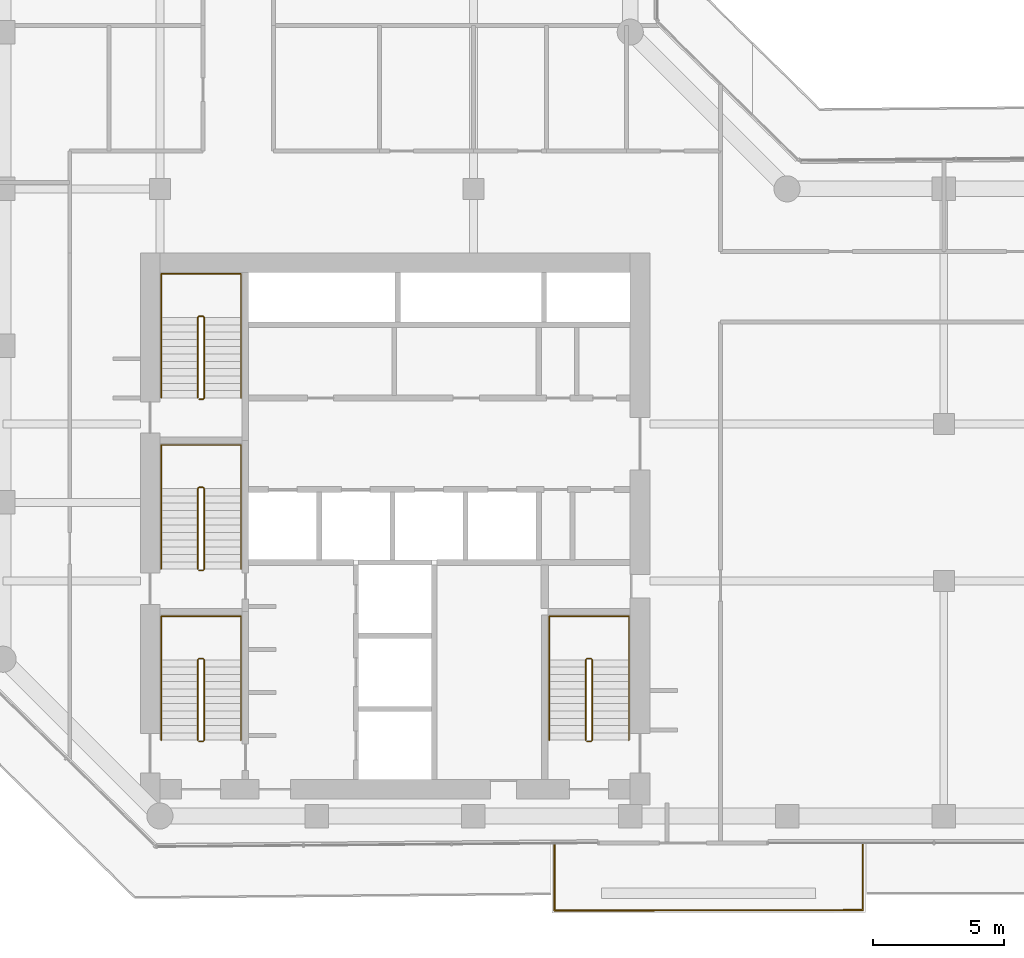
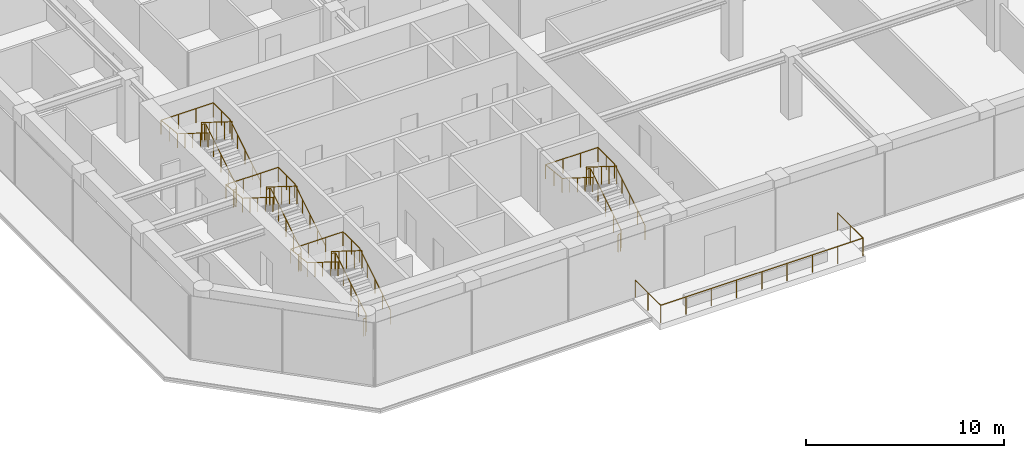
# One storey, part 20 of 21: 9 railings.
"""IFC4 building model written with IfcOpenShell, lengths in metres."""

from ifc_helpers import new_model, si_unit, direction, frame, origin, origin_2d, place, context, subcontext, project, spatial, circle, extrude, material, type_object, element, save


model = new_model("IFC4")

# Units and contexts
model_context = context("Model", 3, precision=1e-05, world=origin(), true_north=direction((0.0, 1.0)))
body_context = subcontext(model_context, "Body", "Model", "MODEL_VIEW")
ifc_project = project(units=[si_unit("LENGTHUNIT", "METRE"), si_unit("AREAUNIT", "SQUARE_METRE"), si_unit("VOLUMEUNIT", "CUBIC_METRE"), si_unit("PLANEANGLEUNIT", "RADIAN"), si_unit("MASSUNIT", "GRAM", prefix="KILO")], contexts=[model_context])

# Site, building, storey
site_placement = place(None, origin())
site = spatial("IfcSite", under=ifc_project, at=site_placement, CompositionType="ELEMENT")
building_placement = place(site_placement, origin())
building = spatial("IfcBuilding", under=site, at=building_placement, Name="Welwitschia Terrace Campus", CompositionType="ELEMENT")
storey_placement = place(building_placement, frame((0.0, 0.0, 108.800048828125)))
storey = spatial("IfcBuildingStorey", under=building, at=storey_placement, Name="L24", CompositionType="ELEMENT", Elevation=108.800048828125)

# Railings
ifc_material_1 = material(Name="Stainless steel grade 316", Category="steel")
railing_type_1 = type_object("IfcRailingType", Name="Guard 1100", PredefinedType="GUARDRAIL", material=ifc_material_1)
railing_1_placement = place(storey_placement, frame((32.89990234375, 2.969970703125, 0.0)))
element("IfcRailing", 1, at=railing_1_placement, inside=storey, type_object=railing_type_1, Name="Guard terrace L24:0:0.0", PredefinedType="GUARDRAIL", context=body_context, shape_type="SweptSolid", body=[
    extrude(circle(Radius=0.02392578125, at=origin_2d()), frame((0.0, 0.0, 1.076171875), z_axis=(0.0, -1.0, 0.0), x_axis=(1.0, 0.0, 0.0)), (0.0, 0.0, 1.0), 2.570068359375),
    extrude(circle(Radius=0.02392578125, at=origin_2d()), frame((0.0, -2.570068359375, 1.076171875), z_axis=(-0.999999123282, -0.001324173299, 0.0), x_axis=(0.001324173299, -0.999999123282, 0.0)), (0.0, 0.0, 1.0), 11.7998046875),
    extrude(circle(Radius=0.02392578125, at=origin_2d()), frame((-11.7998046875, -2.585693359375, 1.076171875), z_axis=(-0.000379867019, 0.999999927851, 0.0), x_axis=(-0.999999927851, -0.000379867019, 0.0)), (0.0, 0.0, 1.0), 2.57080078125),
    extrude(circle(Radius=0.02099609375, at=origin_2d()), origin(), (0.0, 0.0, 1.0), 1.052001953125),
    extrude(circle(Radius=0.02099609375, at=origin_2d()), frame((0.0, -1.28515625, 0.0)), (0.0, 0.0, 1.0), 1.052001953125),
    extrude(circle(Radius=0.02099609375, at=origin_2d()), frame((0.0, -2.570068359375, 0.0)), (0.0, 0.0, 1.0), 1.052001953125),
    extrude(circle(Radius=0.02099609375, at=origin_2d()), frame((-1.47509765625, -2.572021484375, 0.0)), (0.0, 0.0, 1.0), 1.052001953125),
    extrude(circle(Radius=0.02099609375, at=origin_2d()), frame((-2.949951171875, -2.573974609375, 0.0)), (0.0, 0.0, 1.0), 1.052001953125),
    extrude(circle(Radius=0.02099609375, at=origin_2d()), frame((-4.4248046875, -2.575927734375, 0.0)), (0.0, 0.0, 1.0), 1.052001953125),
    extrude(circle(Radius=0.02099609375, at=origin_2d()), frame((-5.89990234375, -2.577880859375, 0.0)), (0.0, 0.0, 1.0), 1.052001953125),
    extrude(circle(Radius=0.02099609375, at=origin_2d()), frame((-7.375, -2.579833984375, 0.0)), (0.0, 0.0, 1.0), 1.052001953125),
    extrude(circle(Radius=0.02099609375, at=origin_2d()), frame((-8.849853515625, -2.581787109375, 0.0)), (0.0, 0.0, 1.0), 1.052001953125),
    extrude(circle(Radius=0.02099609375, at=origin_2d()), frame((-10.32470703125, -2.583740234375, 0.0)), (0.0, 0.0, 1.0), 1.052001953125),
    extrude(circle(Radius=0.02099609375, at=origin_2d()), frame((-11.7998046875, -2.585693359375, 0.0)), (0.0, 0.0, 1.0), 1.052001953125),
    extrude(circle(Radius=0.02099609375, at=origin_2d()), frame((-11.80029296875, -1.30029296875, 0.0)), (0.0, 0.0, 1.0), 1.052001953125),
    extrude(circle(Radius=0.02099609375, at=origin_2d()), frame((-11.80078125, -0.014892578125, 0.0)), (0.0, 0.0, 1.0), 1.052001953125),
])
ifc_material_2 = material(Name="Steel S355", Category="steel")
railing_type_2 = type_object("IfcRailingType", Name="Stair guard 1100", PredefinedType="GUARDRAIL", material=ifc_material_2)
railing_2_placement = place(storey_placement, frame((7.5, 6.85009765625, 0.0)))
element("IfcRailing", 2, at=railing_2_placement, inside=storey, type_object=railing_type_2, Name="L24 S1 stair guard", PredefinedType="GUARDRAIL", context=body_context, shape_type="SweptSolid", body=[
    extrude(circle(Radius=0.02392578125, at=origin_2d()), frame((0.0, 0.0, 1.076171875), z_axis=(1.0, 0.0, 0.0), x_axis=(0.0, 1.0, 0.0)), (0.0, 0.0, 1.0), 0.14990234375),
    extrude(circle(Radius=0.02392578125, at=origin_2d()), frame((0.14990234375, 0.0, 1.076171875), z_axis=(0.265155923931, 0.263862480399, 0.927399011991), x_axis=(-0.705375805398, 0.708833529934, 0.0)), (0.0, 0.0, 1.0), 0.188720703125),
    extrude(circle(Radius=0.02392578125, at=origin_2d()), frame((0.199951171875, 0.0498046875, 1.2509765625), z_axis=(0.0, 0.848028513186, 0.529950602248), x_axis=(-1.0, 0.0, 0.0)), (0.0, 0.0, 1.0), 3.632080078125),
    extrude(circle(Radius=0.02392578125, at=origin_2d()), frame((0.199951171875, 3.1298828125, 3.17578125), z_axis=(-0.707106781187, 0.707106781187, 0.0), x_axis=(-0.707106781187, -0.707106781187, 0.0)), (0.0, 0.0, 1.0), 0.07080078125),
    extrude(circle(Radius=0.02392578125, at=origin_2d()), frame((0.14990234375, 3.179931640625, 3.17578125), z_axis=(-1.0, 0.0, 0.0), x_axis=(0.0, -1.0, 0.0)), (0.0, 0.0, 1.0), 0.14990234375),
    extrude(circle(Radius=0.02392578125, at=origin_2d()), frame((0.0, 3.179931640625, 3.17578125), z_axis=(-0.265065253269, -0.265065253269, 0.927081885822), x_axis=(0.707106781187, -0.707106781187, 0.0)), (0.0, 0.0, 1.0), 0.188720703125),
    extrude(circle(Radius=0.02392578125, at=origin_2d()), frame((-0.050048828125, 3.1298828125, 3.35107421875), z_axis=(0.0, -0.847998304005, 0.529998940003), x_axis=(1.0, 0.0, 0.0)), (0.0, 0.0, 1.0), 3.632080078125),
    extrude(circle(Radius=0.02099609375, at=origin_2d()), origin(), (0.0, 0.0, 1.0), 1.052001953125),
    extrude(circle(Radius=0.02099609375, at=origin_2d()), frame((0.14990234375, 0.0, 0.0)), (0.0, 0.0, 1.0), 1.052001953125),
    extrude(circle(Radius=0.02099609375, at=origin_2d()), frame((0.199951171875, 0.0498046875, 0.175048828125)), (0.0, 0.0, 1.0), 1.052001953125),
    extrude(circle(Radius=0.02099609375, at=origin_2d()), frame((0.199951171875, 0.81982421875, 0.65625)), (0.0, 0.0, 1.0), 1.052001953125),
    extrude(circle(Radius=0.02099609375, at=origin_2d()), frame((0.199951171875, 1.58984375, 1.137451171875)), (0.0, 0.0, 1.0), 1.052001953125),
    extrude(circle(Radius=0.02099609375, at=origin_2d()), frame((0.199951171875, 2.35986328125, 1.61865234375)), (0.0, 0.0, 1.0), 1.052001953125),
    extrude(circle(Radius=0.02099609375, at=origin_2d()), frame((0.199951171875, 3.1298828125, 2.099853515625)), (0.0, 0.0, 1.0), 1.052001953125),
    extrude(circle(Radius=0.02099609375, at=origin_2d()), frame((0.14990234375, 3.179931640625, 2.099853515625)), (0.0, 0.0, 1.0), 1.052001953125),
    extrude(circle(Radius=0.02099609375, at=origin_2d()), frame((0.0, 3.179931640625, 2.099853515625)), (0.0, 0.0, 1.0), 1.052001953125),
    extrude(circle(Radius=0.02099609375, at=origin_2d()), frame((-0.050048828125, 3.1298828125, 2.27490234375)), (0.0, 0.0, 1.0), 1.052001953125),
    extrude(circle(Radius=0.02099609375, at=origin_2d()), frame((-0.050048828125, 2.35986328125, 2.756103515625)), (0.0, 0.0, 1.0), 1.052001953125),
    extrude(circle(Radius=0.02099609375, at=origin_2d()), frame((-0.050048828125, 1.58984375, 3.2373046875)), (0.0, 0.0, 1.0), 1.052001953125),
    extrude(circle(Radius=0.02099609375, at=origin_2d()), frame((-0.050048828125, 0.81982421875, 3.71875)), (0.0, 0.0, 1.0), 1.052001953125),
    extrude(circle(Radius=0.02099609375, at=origin_2d()), frame((-0.050048828125, 0.0498046875, 4.199951171875)), (0.0, 0.0, 1.0), 1.052001953125),
])
railing_3_placement = place(storey_placement, frame((7.5, 13.39990234375, 0.0)))
element("IfcRailing", 3, at=railing_3_placement, inside=storey, type_object=railing_type_2, Name="L24 S3 stair guard", PredefinedType="GUARDRAIL", context=body_context, shape_type="SweptSolid", body=[
    extrude(circle(Radius=0.02392578125, at=origin_2d()), frame((0.0, 0.0, 1.076171875), z_axis=(1.0, 0.0, 0.0), x_axis=(0.0, 1.0, 0.0)), (0.0, 0.0, 1.0), 0.14990234375),
    extrude(circle(Radius=0.02392578125, at=origin_2d()), frame((0.14990234375, 0.0, 1.076171875), z_axis=(0.265065253269, 0.265065253269, 0.927081885822), x_axis=(-0.707106781187, 0.707106781187, 0.0)), (0.0, 0.0, 1.0), 0.188720703125),
    extrude(circle(Radius=0.02392578125, at=origin_2d()), frame((0.199951171875, 0.050048828125, 1.2509765625), z_axis=(0.0, 0.848028513186, 0.529950602248), x_axis=(-1.0, 0.0, 0.0)), (0.0, 0.0, 1.0), 3.632080078125),
    extrude(circle(Radius=0.02392578125, at=origin_2d()), frame((0.199951171875, 3.130126953125, 3.17578125), z_axis=(-0.707106781187, 0.707106781187, 0.0), x_axis=(-0.707106781187, -0.707106781187, 0.0)), (0.0, 0.0, 1.0), 0.07080078125),
    extrude(circle(Radius=0.02392578125, at=origin_2d()), frame((0.14990234375, 3.18017578125, 3.17578125), z_axis=(-1.0, 0.0, 0.0), x_axis=(0.0, -1.0, 0.0)), (0.0, 0.0, 1.0), 0.14990234375),
    extrude(circle(Radius=0.02392578125, at=origin_2d()), frame((0.0, 3.18017578125, 3.17578125), z_axis=(-0.265065253269, -0.265065253269, 0.927081885822), x_axis=(0.707106781187, -0.707106781187, 0.0)), (0.0, 0.0, 1.0), 0.188720703125),
    extrude(circle(Radius=0.02392578125, at=origin_2d()), frame((-0.050048828125, 3.130126953125, 3.35107421875), z_axis=(0.0, -0.847998304005, 0.529998940003), x_axis=(1.0, 0.0, 0.0)), (0.0, 0.0, 1.0), 3.632080078125),
    extrude(circle(Radius=0.02099609375, at=origin_2d()), origin(), (0.0, 0.0, 1.0), 1.052001953125),
    extrude(circle(Radius=0.02099609375, at=origin_2d()), frame((0.14990234375, 0.0, 0.0)), (0.0, 0.0, 1.0), 1.052001953125),
    extrude(circle(Radius=0.02099609375, at=origin_2d()), frame((0.199951171875, 0.050048828125, 0.175048828125)), (0.0, 0.0, 1.0), 1.052001953125),
    extrude(circle(Radius=0.02099609375, at=origin_2d()), frame((0.199951171875, 0.820068359375, 0.65625)), (0.0, 0.0, 1.0), 1.052001953125),
    extrude(circle(Radius=0.02099609375, at=origin_2d()), frame((0.199951171875, 1.590087890625, 1.137451171875)), (0.0, 0.0, 1.0), 1.052001953125),
    extrude(circle(Radius=0.02099609375, at=origin_2d()), frame((0.199951171875, 2.360107421875, 1.61865234375)), (0.0, 0.0, 1.0), 1.052001953125),
    extrude(circle(Radius=0.02099609375, at=origin_2d()), frame((0.199951171875, 3.130126953125, 2.099853515625)), (0.0, 0.0, 1.0), 1.052001953125),
    extrude(circle(Radius=0.02099609375, at=origin_2d()), frame((0.14990234375, 3.18017578125, 2.099853515625)), (0.0, 0.0, 1.0), 1.052001953125),
    extrude(circle(Radius=0.02099609375, at=origin_2d()), frame((0.0, 3.18017578125, 2.099853515625)), (0.0, 0.0, 1.0), 1.052001953125),
    extrude(circle(Radius=0.02099609375, at=origin_2d()), frame((-0.050048828125, 3.130126953125, 2.27490234375)), (0.0, 0.0, 1.0), 1.052001953125),
    extrude(circle(Radius=0.02099609375, at=origin_2d()), frame((-0.050048828125, 2.360107421875, 2.756103515625)), (0.0, 0.0, 1.0), 1.052001953125),
    extrude(circle(Radius=0.02099609375, at=origin_2d()), frame((-0.050048828125, 1.590087890625, 3.2373046875)), (0.0, 0.0, 1.0), 1.052001953125),
    extrude(circle(Radius=0.02099609375, at=origin_2d()), frame((-0.050048828125, 0.820068359375, 3.71875)), (0.0, 0.0, 1.0), 1.052001953125),
    extrude(circle(Radius=0.02099609375, at=origin_2d()), frame((-0.050048828125, 0.050048828125, 4.199951171875)), (0.0, 0.0, 1.0), 1.052001953125),
])
railing_4_placement = place(storey_placement, frame((7.5, 19.949951171875, 0.0)))
element("IfcRailing", 4, at=railing_4_placement, inside=storey, type_object=railing_type_2, Name="L24 S4 stair guard", PredefinedType="GUARDRAIL", context=body_context, shape_type="SweptSolid", body=[
    extrude(circle(Radius=0.02392578125, at=origin_2d()), frame((0.0, 0.0, 1.076171875), z_axis=(1.0, 0.0, 0.0), x_axis=(0.0, 1.0, 0.0)), (0.0, 0.0, 1.0), 0.14990234375),
    extrude(circle(Radius=0.02392578125, at=origin_2d()), frame((0.14990234375, 0.0, 1.076171875), z_axis=(0.265065253269, 0.265065253269, 0.927081885822), x_axis=(-0.707106781187, 0.707106781187, 0.0)), (0.0, 0.0, 1.0), 0.188720703125),
    extrude(circle(Radius=0.02392578125, at=origin_2d()), frame((0.199951171875, 0.050048828125, 1.2509765625), z_axis=(0.0, 0.848028513186, 0.529950602248), x_axis=(-1.0, 0.0, 0.0)), (0.0, 0.0, 1.0), 3.632080078125),
    extrude(circle(Radius=0.02392578125, at=origin_2d()), frame((0.199951171875, 3.130126953125, 3.17578125), z_axis=(-0.708833529934, 0.705375805398, 0.0), x_axis=(-0.705375805398, -0.708833529934, 0.0)), (0.0, 0.0, 1.0), 0.070556640625),
    extrude(circle(Radius=0.02392578125, at=origin_2d()), frame((0.14990234375, 3.179931640625, 3.17578125), z_axis=(-1.0, 0.0, 0.0), x_axis=(0.0, -1.0, 0.0)), (0.0, 0.0, 1.0), 0.14990234375),
    extrude(circle(Radius=0.02392578125, at=origin_2d()), frame((0.0, 3.179931640625, 3.17578125), z_axis=(-0.265155923931, -0.263862480399, 0.927399011991), x_axis=(0.705375805398, -0.708833529934, 0.0)), (0.0, 0.0, 1.0), 0.188720703125),
    extrude(circle(Radius=0.02392578125, at=origin_2d()), frame((-0.050048828125, 3.130126953125, 3.35107421875), z_axis=(0.0, -0.847998304005, 0.529998940003), x_axis=(1.0, 0.0, 0.0)), (0.0, 0.0, 1.0), 3.632080078125),
    extrude(circle(Radius=0.02099609375, at=origin_2d()), origin(), (0.0, 0.0, 1.0), 1.052001953125),
    extrude(circle(Radius=0.02099609375, at=origin_2d()), frame((0.14990234375, 0.0, 0.0)), (0.0, 0.0, 1.0), 1.052001953125),
    extrude(circle(Radius=0.02099609375, at=origin_2d()), frame((0.199951171875, 0.050048828125, 0.175048828125)), (0.0, 0.0, 1.0), 1.052001953125),
    extrude(circle(Radius=0.02099609375, at=origin_2d()), frame((0.199951171875, 0.820068359375, 0.65625)), (0.0, 0.0, 1.0), 1.052001953125),
    extrude(circle(Radius=0.02099609375, at=origin_2d()), frame((0.199951171875, 1.590087890625, 1.137451171875)), (0.0, 0.0, 1.0), 1.052001953125),
    extrude(circle(Radius=0.02099609375, at=origin_2d()), frame((0.199951171875, 2.360107421875, 1.61865234375)), (0.0, 0.0, 1.0), 1.052001953125),
    extrude(circle(Radius=0.02099609375, at=origin_2d()), frame((0.199951171875, 3.130126953125, 2.099853515625)), (0.0, 0.0, 1.0), 1.052001953125),
    extrude(circle(Radius=0.02099609375, at=origin_2d()), frame((0.14990234375, 3.179931640625, 2.099853515625)), (0.0, 0.0, 1.0), 1.052001953125),
    extrude(circle(Radius=0.02099609375, at=origin_2d()), frame((0.0, 3.179931640625, 2.099853515625)), (0.0, 0.0, 1.0), 1.052001953125),
    extrude(circle(Radius=0.02099609375, at=origin_2d()), frame((-0.050048828125, 3.130126953125, 2.27490234375)), (0.0, 0.0, 1.0), 1.052001953125),
    extrude(circle(Radius=0.02099609375, at=origin_2d()), frame((-0.050048828125, 2.360107421875, 2.756103515625)), (0.0, 0.0, 1.0), 1.052001953125),
    extrude(circle(Radius=0.02099609375, at=origin_2d()), frame((-0.050048828125, 1.590087890625, 3.2373046875)), (0.0, 0.0, 1.0), 1.052001953125),
    extrude(circle(Radius=0.02099609375, at=origin_2d()), frame((-0.050048828125, 0.820068359375, 3.71875)), (0.0, 0.0, 1.0), 1.052001953125),
    extrude(circle(Radius=0.02099609375, at=origin_2d()), frame((-0.050048828125, 0.050048828125, 4.199951171875)), (0.0, 0.0, 1.0), 1.052001953125),
])
railing_5_placement = place(storey_placement, frame((22.35009765625, 6.85009765625, 0.0)))
element("IfcRailing", 5, at=railing_5_placement, inside=storey, type_object=railing_type_2, Name="L24 S2 stair guard", PredefinedType="GUARDRAIL", context=body_context, shape_type="SweptSolid", body=[
    extrude(circle(Radius=0.02392578125, at=origin_2d()), frame((0.0, 0.0, 1.076171875), z_axis=(1.0, 0.0, 0.0), x_axis=(0.0, 1.0, 0.0)), (0.0, 0.0, 1.0), 0.14990234375),
    extrude(circle(Radius=0.02392578125, at=origin_2d()), frame((0.14990234375, 0.0, 1.076171875), z_axis=(0.265155923931, 0.263862480399, 0.927399011991), x_axis=(-0.705375805398, 0.708833529934, 0.0)), (0.0, 0.0, 1.0), 0.188720703125),
    extrude(circle(Radius=0.02392578125, at=origin_2d()), frame((0.199951171875, 0.0498046875, 1.2509765625), z_axis=(0.0, 0.848028513186, 0.529950602248), x_axis=(-1.0, 0.0, 0.0)), (0.0, 0.0, 1.0), 3.632080078125),
    extrude(circle(Radius=0.02392578125, at=origin_2d()), frame((0.199951171875, 3.1298828125, 3.17578125), z_axis=(-0.707106781187, 0.707106781187, 0.0), x_axis=(-0.707106781187, -0.707106781187, 0.0)), (0.0, 0.0, 1.0), 0.07080078125),
    extrude(circle(Radius=0.02392578125, at=origin_2d()), frame((0.14990234375, 3.179931640625, 3.17578125), z_axis=(-1.0, 0.0, 0.0), x_axis=(0.0, -1.0, 0.0)), (0.0, 0.0, 1.0), 0.14990234375),
    extrude(circle(Radius=0.02392578125, at=origin_2d()), frame((0.0, 3.179931640625, 3.17578125), z_axis=(-0.265065253269, -0.265065253269, 0.927081885822), x_axis=(0.707106781187, -0.707106781187, 0.0)), (0.0, 0.0, 1.0), 0.188720703125),
    extrude(circle(Radius=0.02392578125, at=origin_2d()), frame((-0.050048828125, 3.1298828125, 3.35107421875), z_axis=(0.0, -0.847998304005, 0.529998940003), x_axis=(1.0, 0.0, 0.0)), (0.0, 0.0, 1.0), 3.632080078125),
    extrude(circle(Radius=0.02099609375, at=origin_2d()), origin(), (0.0, 0.0, 1.0), 1.052001953125),
    extrude(circle(Radius=0.02099609375, at=origin_2d()), frame((0.14990234375, 0.0, 0.0)), (0.0, 0.0, 1.0), 1.052001953125),
    extrude(circle(Radius=0.02099609375, at=origin_2d()), frame((0.199951171875, 0.0498046875, 0.175048828125)), (0.0, 0.0, 1.0), 1.052001953125),
    extrude(circle(Radius=0.02099609375, at=origin_2d()), frame((0.199951171875, 0.81982421875, 0.65625)), (0.0, 0.0, 1.0), 1.052001953125),
    extrude(circle(Radius=0.02099609375, at=origin_2d()), frame((0.199951171875, 1.58984375, 1.137451171875)), (0.0, 0.0, 1.0), 1.052001953125),
    extrude(circle(Radius=0.02099609375, at=origin_2d()), frame((0.199951171875, 2.35986328125, 1.61865234375)), (0.0, 0.0, 1.0), 1.052001953125),
    extrude(circle(Radius=0.02099609375, at=origin_2d()), frame((0.199951171875, 3.1298828125, 2.099853515625)), (0.0, 0.0, 1.0), 1.052001953125),
    extrude(circle(Radius=0.02099609375, at=origin_2d()), frame((0.14990234375, 3.179931640625, 2.099853515625)), (0.0, 0.0, 1.0), 1.052001953125),
    extrude(circle(Radius=0.02099609375, at=origin_2d()), frame((0.0, 3.179931640625, 2.099853515625)), (0.0, 0.0, 1.0), 1.052001953125),
    extrude(circle(Radius=0.02099609375, at=origin_2d()), frame((-0.050048828125, 3.1298828125, 2.27490234375)), (0.0, 0.0, 1.0), 1.052001953125),
    extrude(circle(Radius=0.02099609375, at=origin_2d()), frame((-0.050048828125, 2.35986328125, 2.756103515625)), (0.0, 0.0, 1.0), 1.052001953125),
    extrude(circle(Radius=0.02099609375, at=origin_2d()), frame((-0.050048828125, 1.58984375, 3.2373046875)), (0.0, 0.0, 1.0), 1.052001953125),
    extrude(circle(Radius=0.02099609375, at=origin_2d()), frame((-0.050048828125, 0.81982421875, 3.71875)), (0.0, 0.0, 1.0), 1.052001953125),
    extrude(circle(Radius=0.02099609375, at=origin_2d()), frame((-0.050048828125, 0.0498046875, 4.199951171875)), (0.0, 0.0, 1.0), 1.052001953125),
])
ifc_material_3 = material(Name="Steel S355", Category="steel")
railing_type_3 = type_object("IfcRailingType", Name="Stair handrail 900", PredefinedType="HANDRAIL", material=ifc_material_3)
railing_6_placement = place(storey_placement, frame((9.10009765625, 6.89990234375, 0.175048828125)))
element("IfcRailing", 6, at=railing_6_placement, inside=storey, type_object=railing_type_3, Name="L24 S1 stair handrail", PredefinedType="HANDRAIL", context=body_context, shape_type="SweptSolid", body=[
    extrude(circle(Radius=0.02392578125, at=origin_2d()), frame((0.0, 0.0, 0.8759765625), z_axis=(0.0, 0.848028513186, 0.529950602248), x_axis=(-1.0, 0.0, 0.0)), (0.0, 0.0, 1.0), 3.632080078125),
    extrude(circle(Radius=0.02392578125, at=origin_2d()), frame((0.0, 3.080078125, 2.80078125), z_axis=(0.0, 1.0, 0.0), x_axis=(-1.0, 0.0, 0.0)), (0.0, 0.0, 1.0), 1.669921875),
    extrude(circle(Radius=0.02392578125, at=origin_2d()), frame((0.0, 4.75, 2.80078125), z_axis=(-1.0, 0.0, 0.0), x_axis=(0.0, -1.0, 0.0)), (0.0, 0.0, 1.0), 3.050048828125),
    extrude(circle(Radius=0.02392578125, at=origin_2d()), frame((-3.050048828125, 4.75, 2.80078125), z_axis=(0.0, -0.99455077262, 0.104253348533), x_axis=(1.0, 0.0, 0.0)), (0.0, 0.0, 1.0), 1.678955078125),
    extrude(circle(Radius=0.02392578125, at=origin_2d()), frame((-3.050048828125, 3.080078125, 2.9755859375), z_axis=(0.0, -0.847998304005, 0.529998940003), x_axis=(1.0, 0.0, 0.0)), (0.0, 0.0, 1.0), 3.632080078125),
    extrude(circle(Radius=0.02099609375, at=origin_2d()), origin(), (0.0, 0.0, 1.0), 0.851806640625),
    extrude(circle(Radius=0.02099609375, at=origin_2d()), frame((0.0, 0.77001953125, 0.481201171875)), (0.0, 0.0, 1.0), 0.851806640625),
    extrude(circle(Radius=0.02099609375, at=origin_2d()), frame((0.0, 1.5400390625, 0.96240234375)), (0.0, 0.0, 1.0), 0.851806640625),
    extrude(circle(Radius=0.02099609375, at=origin_2d()), frame((0.0, 2.31005859375, 1.443603515625)), (0.0, 0.0, 1.0), 0.851806640625),
    extrude(circle(Radius=0.02099609375, at=origin_2d()), frame((0.0, 3.080078125, 1.9248046875)), (0.0, 0.0, 1.0), 0.851806640625),
    extrude(circle(Radius=0.02099609375, at=origin_2d()), frame((0.0, 3.9150390625, 1.9248046875)), (0.0, 0.0, 1.0), 0.851806640625),
    extrude(circle(Radius=0.02099609375, at=origin_2d()), frame((0.0, 4.75, 1.9248046875)), (0.0, 0.0, 1.0), 0.851806640625),
    extrude(circle(Radius=0.02099609375, at=origin_2d()), frame((-1.0166015625, 4.75, 1.9248046875)), (0.0, 0.0, 1.0), 0.851806640625),
    extrude(circle(Radius=0.02099609375, at=origin_2d()), frame((-2.033447265625, 4.75, 1.9248046875)), (0.0, 0.0, 1.0), 0.851806640625),
    extrude(circle(Radius=0.02099609375, at=origin_2d()), frame((-3.050048828125, 4.75, 1.9248046875)), (0.0, 0.0, 1.0), 0.851806640625),
    extrude(circle(Radius=0.02099609375, at=origin_2d()), frame((-3.050048828125, 3.9150390625, 2.01220703125)), (0.0, 0.0, 1.0), 0.851806640625),
    extrude(circle(Radius=0.02099609375, at=origin_2d()), frame((-3.050048828125, 3.080078125, 2.099853515625)), (0.0, 0.0, 1.0), 0.851806640625),
    extrude(circle(Radius=0.02099609375, at=origin_2d()), frame((-3.050048828125, 2.31005859375, 2.5810546875)), (0.0, 0.0, 1.0), 0.851806640625),
    extrude(circle(Radius=0.02099609375, at=origin_2d()), frame((-3.050048828125, 1.5400390625, 3.0625)), (0.0, 0.0, 1.0), 0.851806640625),
    extrude(circle(Radius=0.02099609375, at=origin_2d()), frame((-3.050048828125, 0.77001953125, 3.543701171875)), (0.0, 0.0, 1.0), 0.851806640625),
    extrude(circle(Radius=0.02099609375, at=origin_2d()), frame((-3.050048828125, 0.0, 4.02490234375)), (0.0, 0.0, 1.0), 0.851806640625),
])
railing_7_placement = place(storey_placement, frame((9.10009765625, 13.449951171875, 0.175048828125)))
element("IfcRailing", 7, at=railing_7_placement, inside=storey, type_object=railing_type_3, Name="L24 S3 stair handrail", PredefinedType="HANDRAIL", context=body_context, shape_type="SweptSolid", body=[
    extrude(circle(Radius=0.02392578125, at=origin_2d()), frame((0.0, 0.0, 0.8759765625), z_axis=(0.0, 0.848028513186, 0.529950602248), x_axis=(-1.0, 0.0, 0.0)), (0.0, 0.0, 1.0), 3.632080078125),
    extrude(circle(Radius=0.02392578125, at=origin_2d()), frame((0.0, 3.080078125, 2.80078125), z_axis=(0.0, 1.0, 0.0), x_axis=(-1.0, 0.0, 0.0)), (0.0, 0.0, 1.0), 1.669921875),
    extrude(circle(Radius=0.02392578125, at=origin_2d()), frame((0.0, 4.75, 2.80078125), z_axis=(-1.0, 0.0, 0.0), x_axis=(0.0, -1.0, 0.0)), (0.0, 0.0, 1.0), 3.050048828125),
    extrude(circle(Radius=0.02392578125, at=origin_2d()), frame((-3.050048828125, 4.75, 2.80078125), z_axis=(0.0, -0.99455077262, 0.104253348533), x_axis=(1.0, 0.0, 0.0)), (0.0, 0.0, 1.0), 1.678955078125),
    extrude(circle(Radius=0.02392578125, at=origin_2d()), frame((-3.050048828125, 3.080078125, 2.9755859375), z_axis=(0.0, -0.847998304005, 0.529998940003), x_axis=(1.0, 0.0, 0.0)), (0.0, 0.0, 1.0), 3.632080078125),
    extrude(circle(Radius=0.02099609375, at=origin_2d()), origin(), (0.0, 0.0, 1.0), 0.851806640625),
    extrude(circle(Radius=0.02099609375, at=origin_2d()), frame((0.0, 0.77001953125, 0.481201171875)), (0.0, 0.0, 1.0), 0.851806640625),
    extrude(circle(Radius=0.02099609375, at=origin_2d()), frame((0.0, 1.5400390625, 0.96240234375)), (0.0, 0.0, 1.0), 0.851806640625),
    extrude(circle(Radius=0.02099609375, at=origin_2d()), frame((0.0, 2.31005859375, 1.443603515625)), (0.0, 0.0, 1.0), 0.851806640625),
    extrude(circle(Radius=0.02099609375, at=origin_2d()), frame((0.0, 3.080078125, 1.9248046875)), (0.0, 0.0, 1.0), 0.851806640625),
    extrude(circle(Radius=0.02099609375, at=origin_2d()), frame((0.0, 3.9150390625, 1.9248046875)), (0.0, 0.0, 1.0), 0.851806640625),
    extrude(circle(Radius=0.02099609375, at=origin_2d()), frame((0.0, 4.75, 1.9248046875)), (0.0, 0.0, 1.0), 0.851806640625),
    extrude(circle(Radius=0.02099609375, at=origin_2d()), frame((-1.0166015625, 4.75, 1.9248046875)), (0.0, 0.0, 1.0), 0.851806640625),
    extrude(circle(Radius=0.02099609375, at=origin_2d()), frame((-2.033447265625, 4.75, 1.9248046875)), (0.0, 0.0, 1.0), 0.851806640625),
    extrude(circle(Radius=0.02099609375, at=origin_2d()), frame((-3.050048828125, 4.75, 1.9248046875)), (0.0, 0.0, 1.0), 0.851806640625),
    extrude(circle(Radius=0.02099609375, at=origin_2d()), frame((-3.050048828125, 3.9150390625, 2.01220703125)), (0.0, 0.0, 1.0), 0.851806640625),
    extrude(circle(Radius=0.02099609375, at=origin_2d()), frame((-3.050048828125, 3.080078125, 2.099853515625)), (0.0, 0.0, 1.0), 0.851806640625),
    extrude(circle(Radius=0.02099609375, at=origin_2d()), frame((-3.050048828125, 2.31005859375, 2.5810546875)), (0.0, 0.0, 1.0), 0.851806640625),
    extrude(circle(Radius=0.02099609375, at=origin_2d()), frame((-3.050048828125, 1.5400390625, 3.0625)), (0.0, 0.0, 1.0), 0.851806640625),
    extrude(circle(Radius=0.02099609375, at=origin_2d()), frame((-3.050048828125, 0.77001953125, 3.543701171875)), (0.0, 0.0, 1.0), 0.851806640625),
    extrude(circle(Radius=0.02099609375, at=origin_2d()), frame((-3.050048828125, 0.0, 4.02490234375)), (0.0, 0.0, 1.0), 0.851806640625),
])
railing_8_placement = place(storey_placement, frame((9.10009765625, 20.0, 0.175048828125)))
element("IfcRailing", 8, at=railing_8_placement, inside=storey, type_object=railing_type_3, Name="L24 S4 stair handrail", PredefinedType="HANDRAIL", context=body_context, shape_type="SweptSolid", body=[
    extrude(circle(Radius=0.02392578125, at=origin_2d()), frame((0.0, 0.0, 0.8759765625), z_axis=(0.0, 0.848028513186, 0.529950602248), x_axis=(-1.0, 0.0, 0.0)), (0.0, 0.0, 1.0), 3.632080078125),
    extrude(circle(Radius=0.02392578125, at=origin_2d()), frame((0.0, 3.080078125, 2.80078125), z_axis=(0.0, 1.0, 0.0), x_axis=(-1.0, 0.0, 0.0)), (0.0, 0.0, 1.0), 1.669921875),
    extrude(circle(Radius=0.02392578125, at=origin_2d()), frame((0.0, 4.75, 2.80078125), z_axis=(-1.0, 0.0, 0.0), x_axis=(0.0, -1.0, 0.0)), (0.0, 0.0, 1.0), 3.050048828125),
    extrude(circle(Radius=0.02392578125, at=origin_2d()), frame((-3.050048828125, 4.75, 2.80078125), z_axis=(0.0, -0.99455077262, 0.104253348533), x_axis=(1.0, 0.0, 0.0)), (0.0, 0.0, 1.0), 1.678955078125),
    extrude(circle(Radius=0.02392578125, at=origin_2d()), frame((-3.050048828125, 3.080078125, 2.9755859375), z_axis=(0.0, -0.847998304005, 0.529998940003), x_axis=(1.0, 0.0, 0.0)), (0.0, 0.0, 1.0), 3.632080078125),
    extrude(circle(Radius=0.02099609375, at=origin_2d()), origin(), (0.0, 0.0, 1.0), 0.851806640625),
    extrude(circle(Radius=0.02099609375, at=origin_2d()), frame((0.0, 0.77001953125, 0.481201171875)), (0.0, 0.0, 1.0), 0.851806640625),
    extrude(circle(Radius=0.02099609375, at=origin_2d()), frame((0.0, 1.5400390625, 0.96240234375)), (0.0, 0.0, 1.0), 0.851806640625),
    extrude(circle(Radius=0.02099609375, at=origin_2d()), frame((0.0, 2.31005859375, 1.443603515625)), (0.0, 0.0, 1.0), 0.851806640625),
    extrude(circle(Radius=0.02099609375, at=origin_2d()), frame((0.0, 3.080078125, 1.9248046875)), (0.0, 0.0, 1.0), 0.851806640625),
    extrude(circle(Radius=0.02099609375, at=origin_2d()), frame((0.0, 3.9150390625, 1.9248046875)), (0.0, 0.0, 1.0), 0.851806640625),
    extrude(circle(Radius=0.02099609375, at=origin_2d()), frame((0.0, 4.75, 1.9248046875)), (0.0, 0.0, 1.0), 0.851806640625),
    extrude(circle(Radius=0.02099609375, at=origin_2d()), frame((-1.0166015625, 4.75, 1.9248046875)), (0.0, 0.0, 1.0), 0.851806640625),
    extrude(circle(Radius=0.02099609375, at=origin_2d()), frame((-2.033447265625, 4.75, 1.9248046875)), (0.0, 0.0, 1.0), 0.851806640625),
    extrude(circle(Radius=0.02099609375, at=origin_2d()), frame((-3.050048828125, 4.75, 1.9248046875)), (0.0, 0.0, 1.0), 0.851806640625),
    extrude(circle(Radius=0.02099609375, at=origin_2d()), frame((-3.050048828125, 3.9150390625, 2.01220703125)), (0.0, 0.0, 1.0), 0.851806640625),
    extrude(circle(Radius=0.02099609375, at=origin_2d()), frame((-3.050048828125, 3.080078125, 2.099853515625)), (0.0, 0.0, 1.0), 0.851806640625),
    extrude(circle(Radius=0.02099609375, at=origin_2d()), frame((-3.050048828125, 2.31005859375, 2.5810546875)), (0.0, 0.0, 1.0), 0.851806640625),
    extrude(circle(Radius=0.02099609375, at=origin_2d()), frame((-3.050048828125, 1.5400390625, 3.0625)), (0.0, 0.0, 1.0), 0.851806640625),
    extrude(circle(Radius=0.02099609375, at=origin_2d()), frame((-3.050048828125, 0.77001953125, 3.543701171875)), (0.0, 0.0, 1.0), 0.851806640625),
    extrude(circle(Radius=0.02099609375, at=origin_2d()), frame((-3.050048828125, 0.0, 4.02490234375)), (0.0, 0.0, 1.0), 0.851806640625),
])
railing_9_placement = place(storey_placement, frame((23.949951171875, 6.89990234375, 0.175048828125)))
element("IfcRailing", 9, at=railing_9_placement, inside=storey, type_object=railing_type_3, Name="L24 S2 stair handrail", PredefinedType="HANDRAIL", context=body_context, shape_type="SweptSolid", body=[
    extrude(circle(Radius=0.02392578125, at=origin_2d()), frame((0.0, 0.0, 0.8759765625), z_axis=(0.0, 0.848028513186, 0.529950602248), x_axis=(-1.0, 0.0, 0.0)), (0.0, 0.0, 1.0), 3.632080078125),
    extrude(circle(Radius=0.02392578125, at=origin_2d()), frame((0.0, 3.080078125, 2.80078125), z_axis=(0.0, 1.0, 0.0), x_axis=(-1.0, 0.0, 0.0)), (0.0, 0.0, 1.0), 1.669921875),
    extrude(circle(Radius=0.02392578125, at=origin_2d()), frame((0.0, 4.75, 2.80078125), z_axis=(-1.0, 0.0, 0.0), x_axis=(0.0, -1.0, 0.0)), (0.0, 0.0, 1.0), 3.050048828125),
    extrude(circle(Radius=0.02392578125, at=origin_2d()), frame((-3.050048828125, 4.75, 2.80078125), z_axis=(0.0, -0.99455077262, 0.104253348533), x_axis=(1.0, 0.0, 0.0)), (0.0, 0.0, 1.0), 1.678955078125),
    extrude(circle(Radius=0.02392578125, at=origin_2d()), frame((-3.050048828125, 3.080078125, 2.9755859375), z_axis=(0.0, -0.847998304005, 0.529998940003), x_axis=(1.0, 0.0, 0.0)), (0.0, 0.0, 1.0), 3.632080078125),
    extrude(circle(Radius=0.02099609375, at=origin_2d()), origin(), (0.0, 0.0, 1.0), 0.851806640625),
    extrude(circle(Radius=0.02099609375, at=origin_2d()), frame((0.0, 0.77001953125, 0.481201171875)), (0.0, 0.0, 1.0), 0.851806640625),
    extrude(circle(Radius=0.02099609375, at=origin_2d()), frame((0.0, 1.5400390625, 0.96240234375)), (0.0, 0.0, 1.0), 0.851806640625),
    extrude(circle(Radius=0.02099609375, at=origin_2d()), frame((0.0, 2.31005859375, 1.443603515625)), (0.0, 0.0, 1.0), 0.851806640625),
    extrude(circle(Radius=0.02099609375, at=origin_2d()), frame((0.0, 3.080078125, 1.9248046875)), (0.0, 0.0, 1.0), 0.851806640625),
    extrude(circle(Radius=0.02099609375, at=origin_2d()), frame((0.0, 3.9150390625, 1.9248046875)), (0.0, 0.0, 1.0), 0.851806640625),
    extrude(circle(Radius=0.02099609375, at=origin_2d()), frame((0.0, 4.75, 1.9248046875)), (0.0, 0.0, 1.0), 0.851806640625),
    extrude(circle(Radius=0.02099609375, at=origin_2d()), frame((-1.0166015625, 4.75, 1.9248046875)), (0.0, 0.0, 1.0), 0.851806640625),
    extrude(circle(Radius=0.02099609375, at=origin_2d()), frame((-2.033447265625, 4.75, 1.9248046875)), (0.0, 0.0, 1.0), 0.851806640625),
    extrude(circle(Radius=0.02099609375, at=origin_2d()), frame((-3.050048828125, 4.75, 1.9248046875)), (0.0, 0.0, 1.0), 0.851806640625),
    extrude(circle(Radius=0.02099609375, at=origin_2d()), frame((-3.050048828125, 3.9150390625, 2.01220703125)), (0.0, 0.0, 1.0), 0.851806640625),
    extrude(circle(Radius=0.02099609375, at=origin_2d()), frame((-3.050048828125, 3.080078125, 2.099853515625)), (0.0, 0.0, 1.0), 0.851806640625),
    extrude(circle(Radius=0.02099609375, at=origin_2d()), frame((-3.050048828125, 2.31005859375, 2.5810546875)), (0.0, 0.0, 1.0), 0.851806640625),
    extrude(circle(Radius=0.02099609375, at=origin_2d()), frame((-3.050048828125, 1.5400390625, 3.0625)), (0.0, 0.0, 1.0), 0.851806640625),
    extrude(circle(Radius=0.02099609375, at=origin_2d()), frame((-3.050048828125, 0.77001953125, 3.543701171875)), (0.0, 0.0, 1.0), 0.851806640625),
    extrude(circle(Radius=0.02099609375, at=origin_2d()), frame((-3.050048828125, 0.0, 4.02490234375)), (0.0, 0.0, 1.0), 0.851806640625),
])

save(model, "model.ifc")
